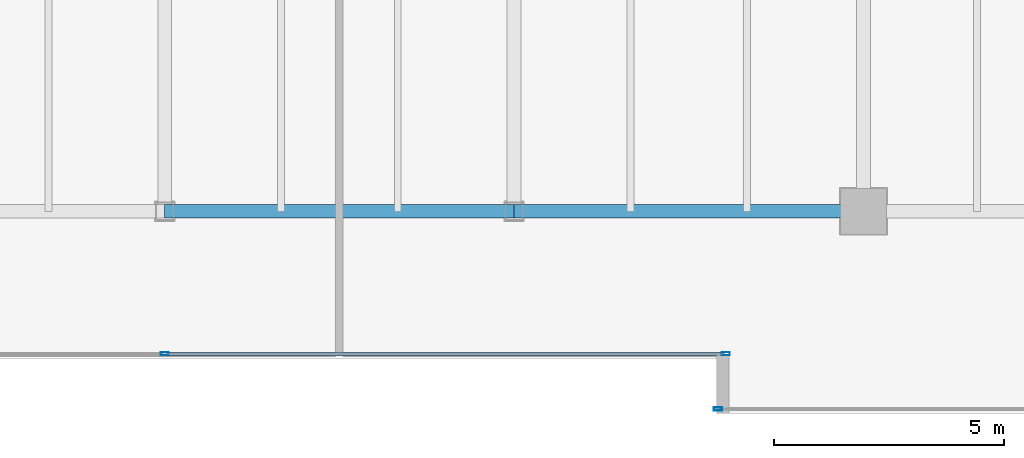
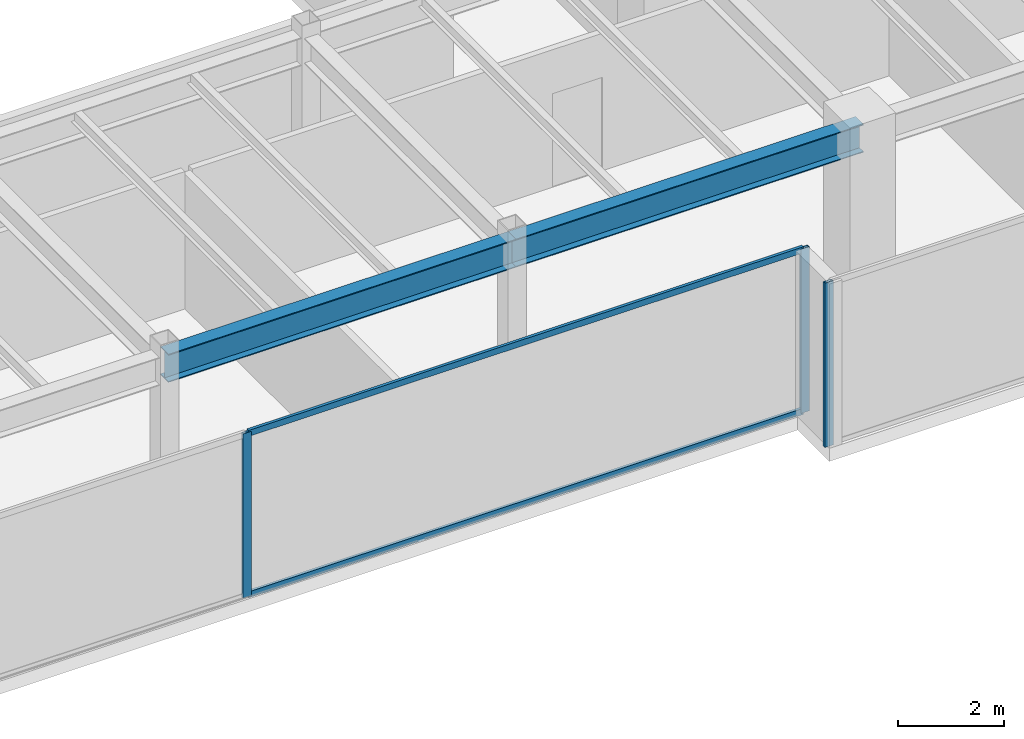
# One storey, part 11 of 35: 5 members, 2 beams, 2 elements without a shape of their own.
"""IFC4 building model written with IfcOpenShell, lengths in metres."""

from ifc_helpers import new_model, si_unit, direction, frame, origin, origin_2d, place, context, subcontext, project, spatial, hollow_rectangle, i_section, extrude, source, transform, mapped, material, layer, layer_set, material_profile, profile_set, type_object, type_shapes, element, aggregate, save


model = new_model("IFC4")

# Units and contexts
model_context = context("Model", 3, precision=1e-05, world=origin(), true_north=direction((0.0, 1.0)))
body_context = subcontext(model_context, "Body", "Model", "MODEL_VIEW")
ifc_project = project(units=[si_unit("LENGTHUNIT", "METRE"), si_unit("AREAUNIT", "SQUARE_METRE"), si_unit("VOLUMEUNIT", "CUBIC_METRE"), si_unit("PLANEANGLEUNIT", "RADIAN"), si_unit("MASSUNIT", "GRAM", prefix="KILO")], contexts=[model_context])

# Site, building, storey
site_placement = place(None, origin())
site = spatial("IfcSite", under=ifc_project, at=site_placement, CompositionType="ELEMENT")
building_placement = place(site_placement, origin())
building = spatial("IfcBuilding", under=site, at=building_placement, Name="Haelvirn Gate Laboratories", CompositionType="ELEMENT")
storey_placement = place(building_placement, frame((0.0, 0.0, 226.0)))
storey = spatial("IfcBuildingStorey", under=building, at=storey_placement, Name="L54", CompositionType="ELEMENT", Elevation=226.0)

# Beams
ifc_material_1 = material(Name="Steel SM355", Category="steel")
ifc_material_profile_1 = material_profile(ifc_material_1, i_section(OverallWidth=0.300048828125, OverallDepth=0.64990234375, WebThickness=0.012939453125, FlangeThickness=0.02197265625, at=origin_2d()), Name="H-650x300x13x22")
ifc_profile_set_1 = profile_set([ifc_material_profile_1], Name="Steel SM355")
beam_type = type_object("IfcBeamType", Name="BM-G-650", PredefinedType="BEAM", material=ifc_profile_set_1)
shared_shape_1 = source(origin(), body_context, "Body", "SweptSolid", [
    extrude(i_section(OverallWidth=0.300048828125, OverallDepth=0.64990234375, WebThickness=0.012939453125, FlangeThickness=0.02197265625, at=origin_2d()), origin(), (0.0, 0.0, 1.0), 7.60009765625),
])
type_shapes(beam_type, [shared_shape_1])
for number, where, z_axis, x_axis, name in (
    (1, (37.39990234375, 7.0, 3.47509765625), (1.0, 0.0, 0.0), (0.0, 1.0, 0.0), "L54 Primary Girder Y7.0 (37.4-45.0)"),
    (2, (45.0, 7.0, 3.47509765625), (1.0, 0.0, 0.0), (0.0, 1.0, 0.0), "L54 Primary Girder Y7.0 (45.0-52.6)"),
):
    element("IfcBeam", number, at=place(storey_placement, frame(where, z_axis=z_axis, x_axis=x_axis)), inside=storey, type_object=beam_type, Name=name, PredefinedType="BEAM", context=body_context, shape_type="MappedRepresentation", body=[
        mapped(shared_shape_1, transform((0.0, 0.0, 0.0), scale=1.0)),
    ])

# Curtain wall, members
ifc_material_2 = material(Name="Anodised bronze unitised aluminium & triple low-E glass", Category="aluminium")
ifc_layer = layer(ifc_material_2, 0.176025390625, Name="CW-SYS-4")
ifc_layer_set = layer_set([ifc_layer], Name="Anodised bronze unitised aluminium & triple low-E glass")
curtain_wall_type = type_object("IfcCurtainWallType", Name="CW-SYS-4", PredefinedType="NOTDEFINED", material=ifc_layer_set)
curtain_wall_1_placement = place(storey_placement, origin())
curtain_wall_1 = element("IfcCurtainWall", 3, at=curtain_wall_1_placement, inside=storey, type_object=curtain_wall_type, Name="L54 Unitised Curtain Wall CW-L54-P0-E02-1", PredefinedType="NOTDEFINED")
ifc_material_3 = material(Name="Extruded aluminium 6063-T6 (anodised bronze)", Category="aluminium")
ifc_material_profile_2 = material_profile(ifc_material_3, hollow_rectangle(XDim=0.06494140625, YDim=0.139892578125, WallThickness=0.00390625, at=origin_2d()), Name="CWT-140x65x4")
ifc_profile_set_2 = profile_set([ifc_material_profile_2], Name="Extruded aluminium 6063-T6 (anodised bronze)")
member_type_1 = type_object("IfcMemberType", Name="CWT-T140", PredefinedType="USERDEFINED", material=ifc_profile_set_2)
shared_shape_2 = source(origin(), body_context, "Body", "SweptSolid", [
    extrude(hollow_rectangle(XDim=0.06494140625, YDim=0.139892578125, WallThickness=0.00390625, at=origin_2d()), origin(), (0.0, 0.0, 1.0), 12.135009765625),
])
type_shapes(member_type_1, [shared_shape_2])
member_1_placement = place(storey_placement, frame((37.43505859375, 3.89990234375, 0.032470703125), z_axis=(1.0, 0.0, 0.0), x_axis=(0.0, 1.0, 0.0)))
member_1 = element("IfcMember", 4, at=member_1_placement, type_object=member_type_1, Name="CW4 transom 2.1", ObjectType="TRANSOM", PredefinedType="USERDEFINED", context=body_context, shape_type="MappedRepresentation", body=[
    mapped(shared_shape_2, transform((0.0, 0.0, 0.0), scale=1.0)),
])
member_2_placement = place(storey_placement, frame((37.43505859375, 3.89990234375, 3.767578125), z_axis=(1.0, 0.0, 0.0), x_axis=(0.0, 1.0, 0.0)))
member_2 = element("IfcMember", 5, at=member_2_placement, type_object=member_type_1, Name="CW4 transom 2.2", ObjectType="TRANSOM", PredefinedType="USERDEFINED", context=body_context, shape_type="MappedRepresentation", body=[
    mapped(shared_shape_2, transform((0.0, 0.0, 0.0), scale=1.0)),
])
ifc_material_profile_3 = material_profile(ifc_material_3, hollow_rectangle(XDim=0.070068359375, YDim=0.179931640625, WallThickness=0.0048828125, at=origin_2d()), Name="CWM-180x70x5")
ifc_profile_set_3 = profile_set([ifc_material_profile_3], Name="Extruded aluminium 6063-T6 (anodised bronze)")
member_type_2 = type_object("IfcMemberType", Name="CWM-T180", PredefinedType="MULLION", material=ifc_profile_set_3)
shared_shape_3 = source(origin(), body_context, "Body", "SweptSolid", [
    extrude(hollow_rectangle(XDim=0.070068359375, YDim=0.179931640625, WallThickness=0.0048828125, at=origin_2d()), origin(), (0.0, 0.0, 1.0), 3.800048828125),
])
type_shapes(member_type_2, [shared_shape_3])
member_3_placement = place(storey_placement, frame((37.39990234375, 3.89990234375, 0.0), z_axis=(0.0, 0.0, 1.0), x_axis=(0.0, 1.0, 0.0)))
member_3 = element("IfcMember", 6, at=member_3_placement, type_object=member_type_2, Name="CW4 mullion 2", PredefinedType="MULLION", context=body_context, shape_type="MappedRepresentation", body=[
    mapped(shared_shape_3, transform((0.0, 0.0, 0.0), scale=1.0)),
])
member_4_placement = place(storey_placement, frame((49.60498046875, 3.89990234375, 0.0), z_axis=(0.0, 0.0, 1.0), x_axis=(0.0, 1.0, 0.0)))
member_4 = element("IfcMember", 7, at=member_4_placement, type_object=member_type_2, Name="CW4 mullion 3", PredefinedType="MULLION", context=body_context, shape_type="MappedRepresentation", body=[
    mapped(shared_shape_3, transform((0.0, 0.0, 0.0), scale=1.0)),
])
aggregate(curtain_wall_1, [member_3, member_4, member_1, member_2])

# Curtain wall, member
curtain_wall_2_placement = place(storey_placement, origin())
curtain_wall_2 = element("IfcCurtainWall", 8, at=curtain_wall_2_placement, inside=storey, type_object=curtain_wall_type, Name="L54 Unitised Curtain Wall CW-L54-P0-E04-1", PredefinedType="NOTDEFINED")
member_5_placement = place(storey_placement, frame((49.43505859375, 2.699951171875, 0.0), z_axis=(0.0, 0.0, 1.0), x_axis=(0.0, 1.0, 0.0)))
member_5 = element("IfcMember", 9, at=member_5_placement, type_object=member_type_2, Name="CW4 mullion 1", PredefinedType="MULLION", context=body_context, shape_type="MappedRepresentation", body=[
    mapped(shared_shape_3, transform((0.0, 0.0, 0.0), scale=1.0)),
])
aggregate(curtain_wall_2, [member_5])

save(model, "model.ifc")
